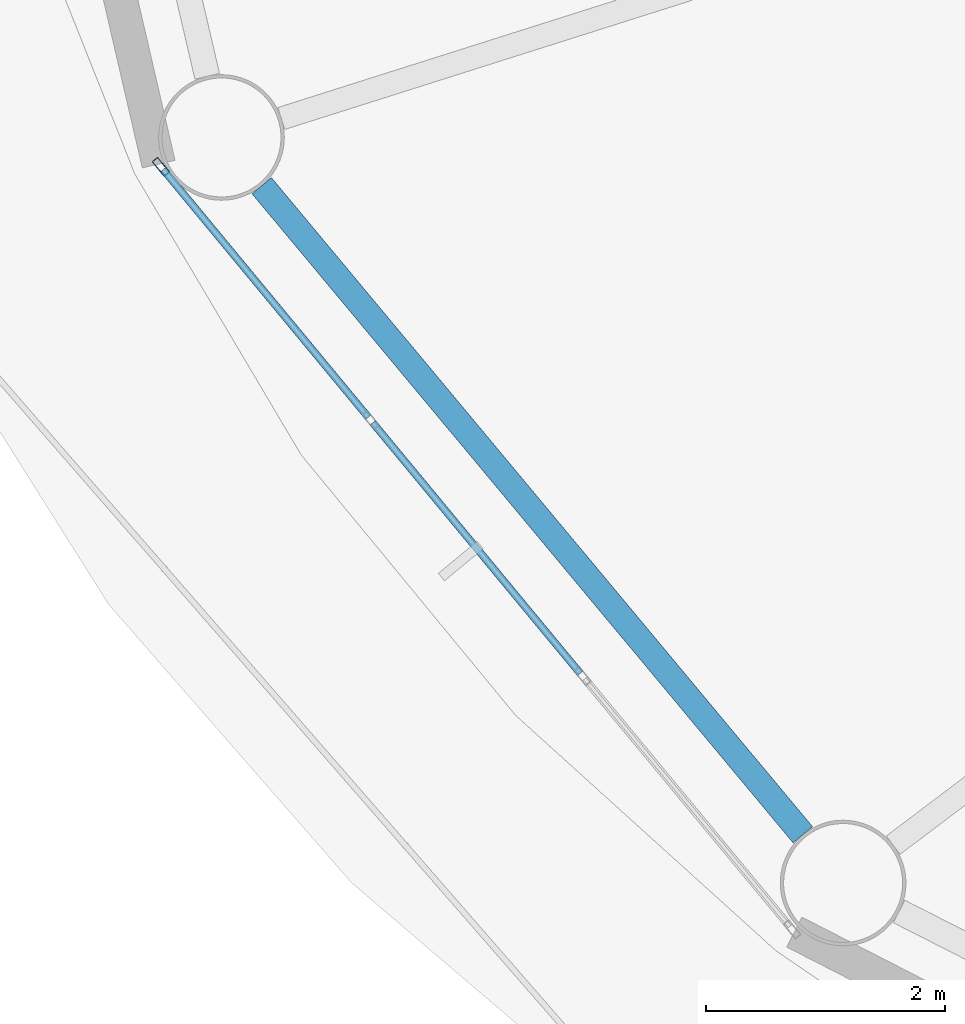
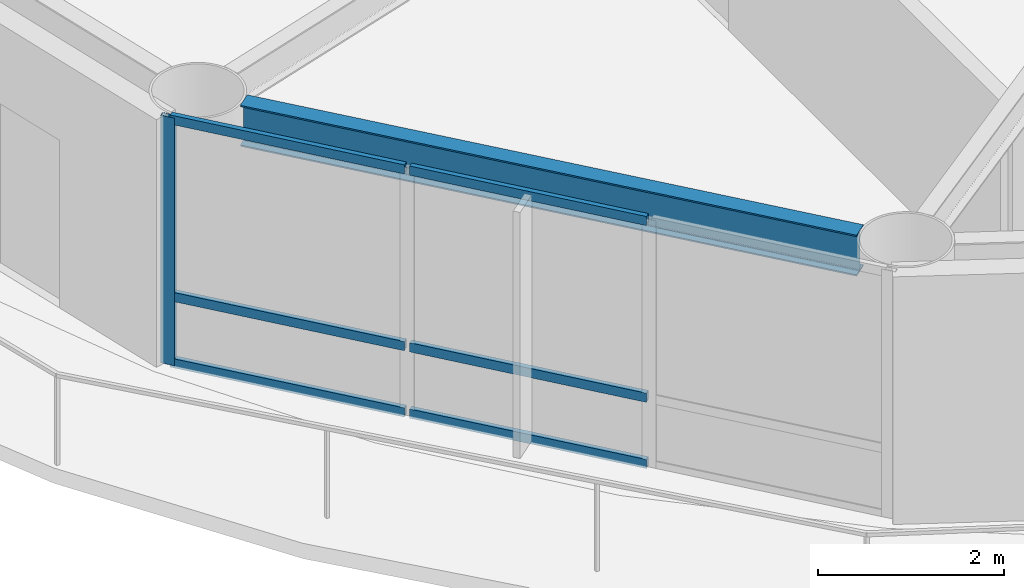
# One storey, part 3 of 24: 7 members, 1 beam, 1 element without a shape of its own.
"""IFC4 building model written with IfcOpenShell, lengths in metres."""

from ifc_helpers import new_model, si_unit, direction, frame, origin, origin_2d, place, context, subcontext, project, spatial, hollow_rectangle, i_section, extrude, material, layer, layer_set, material_profile, profile_set, type_object, element, aggregate, save


model = new_model("IFC4")

# Units and contexts
model_context = context("Model", 3, precision=1e-05, world=origin(), true_north=direction((0.0, 1.0)))
body_context = subcontext(model_context, "Body", "Model", "MODEL_VIEW")
ifc_project = project(units=[si_unit("LENGTHUNIT", "METRE"), si_unit("AREAUNIT", "SQUARE_METRE"), si_unit("VOLUMEUNIT", "CUBIC_METRE"), si_unit("PLANEANGLEUNIT", "RADIAN"), si_unit("MASSUNIT", "GRAM", prefix="KILO")], contexts=[model_context])

# Site, building, storey
site_placement = place(None, origin())
site = spatial("IfcSite", under=ifc_project, at=site_placement, CompositionType="ELEMENT")
building_placement = place(site_placement, origin())
building = spatial("IfcBuilding", under=site, at=building_placement, Name="Sarneth Arch Tower", CompositionType="ELEMENT")
storey_placement = place(building_placement, frame((0.0, 0.0, 253.199951171875)))
storey = spatial("IfcBuildingStorey", under=building, at=storey_placement, Name="L65", CompositionType="ELEMENT", Elevation=253.199951171875)

# Beam
ifc_material_1 = material(Name="Steel S355", Category="steel")
ifc_material_profile_1 = material_profile(ifc_material_1, i_section(OverallWidth=0.2109375, OverallDepth=0.5390625, WebThickness=0.01171875, FlangeThickness=0.018798828125, FilletRadius=0.01806640625, at=origin_2d()), Name="W530x109")
ifc_profile_set_1 = profile_set([ifc_material_profile_1], Name="Steel S355")
beam_type = type_object("IfcBeamType", Name="BM-RAD-530B", PredefinedType="BEAM", material=ifc_profile_set_1)
beam_placement = place(storey_placement, frame((25.16748046875, 34.249267578125, 2.98046875), z_axis=(0.640364654985, -0.76807103099, 0.0), x_axis=(0.76807103099, 0.640364654985, 0.0)))
element("IfcBeam", 1, at=beam_placement, inside=storey, type_object=beam_type, Name="L65 Perimeter spandrel beam 10", PredefinedType="BEAM", context=body_context, shape_type="SweptSolid", body=[
    extrude(i_section(OverallWidth=0.2109375, OverallDepth=0.5390625, WebThickness=0.01171875, FlangeThickness=0.018798828125, FilletRadius=0.01806640625, at=origin_2d()), origin(), (0.0, 0.0, 1.0), 7.06005859375),
])

# Curtain wall, members
ifc_material_2 = material(Name="Anodised aluminium Type AA25 and solar-control low-e laminated IGU", Category="aluminium")
ifc_layer = layer(ifc_material_2, 0.179931640625)
ifc_layer_set = layer_set([ifc_layer], Name="Anodised aluminium Type AA25 and solar-control low-e laminated IGU")
curtain_wall_type = type_object("IfcCurtainWallType", Name="CW-RES-HIGH", PredefinedType="NOTDEFINED", material=ifc_layer_set)
curtain_wall_placement = place(storey_placement, origin())
curtain_wall = element("IfcCurtainWall", 2, at=curtain_wall_placement, inside=storey, type_object=curtain_wall_type, Name="L65 Unitised curtain wall facet 10", PredefinedType="NOTDEFINED")
ifc_material_3 = material(Name="Anodised Aluminium 6063-T6", Category="aluminium")
ifc_material_profile_2 = material_profile(ifc_material_3, hollow_rectangle(XDim=0.06005859375, YDim=0.159912109375, WallThickness=0.00390625, at=origin_2d()), Name="AL-MULL-160x60x4")
ifc_profile_set_2 = profile_set([ifc_material_profile_2], Name="Anodised Aluminium 6063-T6")
member_type_1 = type_object("IfcMemberType", Name="CW-MULLION", PredefinedType="MULLION", material=ifc_profile_set_2)
member_1_placement = place(storey_placement, frame((24.325439453125, 34.407470703125, 0.0), z_axis=(0.0, 0.0, 1.0), x_axis=(0.770359245933, 0.637610094184, 0.0)))
member_1 = element("IfcMember", 3, at=member_1_placement, type_object=member_type_1, Name="CW-SYS-6 mullion 1", PredefinedType="MULLION", context=body_context, shape_type="SweptSolid", body=[
    extrude(hollow_rectangle(XDim=0.06005859375, YDim=0.159912109375, WallThickness=0.00390625, at=origin_2d()), origin(), (0.0, 0.0, 1.0), 3.25),
])
ifc_material_4 = material(Name="Anodised Aluminium 6063-T6", Category="aluminium")
ifc_material_profile_3 = material_profile(ifc_material_4, hollow_rectangle(XDim=0.06005859375, YDim=0.1201171875, WallThickness=0.00390625, at=origin_2d()), Name="AL-TRAN-120x60x4")
ifc_profile_set_3 = profile_set([ifc_material_profile_3], Name="Anodised Aluminium 6063-T6")
member_type_2 = type_object("IfcMemberType", Name="CW-TRANSOM", PredefinedType="USERDEFINED", material=ifc_profile_set_3)
member_2_placement = place(storey_placement, frame((24.344482421875, 34.38427734375, 0.030029296875), z_axis=(0.637651400067, -0.770325056059, 0.0), x_axis=(0.770325056059, 0.637651400067, 0.0)))
member_2 = element("IfcMember", 4, at=member_2_placement, type_object=member_type_2, Name="CW-SYS-6 transom 1.1", ObjectType="TRANSOM", PredefinedType="USERDEFINED", context=body_context, shape_type="SweptSolid", body=[
    extrude(hollow_rectangle(XDim=0.06005859375, YDim=0.1201171875, WallThickness=0.00390625, at=origin_2d()), origin(), (0.0, 0.0, 1.0), 2.6865234375),
])
member_3_placement = place(storey_placement, frame((24.344482421875, 34.38427734375, 0.900146484375), z_axis=(0.637651400067, -0.770325056059, 0.0), x_axis=(0.770325056059, 0.637651400067, 0.0)))
member_3 = element("IfcMember", 5, at=member_3_placement, type_object=member_type_2, Name="CW-SYS-6 transom 1.2", ObjectType="TRANSOM", PredefinedType="USERDEFINED", context=body_context, shape_type="SweptSolid", body=[
    extrude(hollow_rectangle(XDim=0.06005859375, YDim=0.1201171875, WallThickness=0.00390625, at=origin_2d()), origin(), (0.0, 0.0, 1.0), 2.6865234375),
])
member_4_placement = place(storey_placement, frame((24.344482421875, 34.38427734375, 3.219970703125), z_axis=(0.637651400067, -0.770325056059, 0.0), x_axis=(0.770325056059, 0.637651400067, 0.0)))
member_4 = element("IfcMember", 6, at=member_4_placement, type_object=member_type_2, Name="CW-SYS-6 transom 1.3", ObjectType="TRANSOM", PredefinedType="USERDEFINED", context=body_context, shape_type="SweptSolid", body=[
    extrude(hollow_rectangle(XDim=0.06005859375, YDim=0.1201171875, WallThickness=0.00390625, at=origin_2d()), origin(), (0.0, 0.0, 1.0), 2.6865234375),
])
member_5_placement = place(storey_placement, frame((26.095703125, 32.268310546875, 0.030029296875), z_axis=(0.637617371902, -0.770353222261, 0.0), x_axis=(0.770353222261, 0.637617371902, 0.0)))
member_5 = element("IfcMember", 7, at=member_5_placement, type_object=member_type_2, Name="CW-SYS-6 transom 2.1", ObjectType="TRANSOM", PredefinedType="USERDEFINED", context=body_context, shape_type="SweptSolid", body=[
    extrude(hollow_rectangle(XDim=0.06005859375, YDim=0.1201171875, WallThickness=0.00390625, at=origin_2d()), origin(), (0.0, 0.0, 1.0), 2.716552734375),
])
member_6_placement = place(storey_placement, frame((26.095703125, 32.268310546875, 0.900146484375), z_axis=(0.637617371902, -0.770353222261, 0.0), x_axis=(0.770353222261, 0.637617371902, 0.0)))
member_6 = element("IfcMember", 8, at=member_6_placement, type_object=member_type_2, Name="CW-SYS-6 transom 2.2", ObjectType="TRANSOM", PredefinedType="USERDEFINED", context=body_context, shape_type="SweptSolid", body=[
    extrude(hollow_rectangle(XDim=0.06005859375, YDim=0.1201171875, WallThickness=0.00390625, at=origin_2d()), origin(), (0.0, 0.0, 1.0), 2.716552734375),
])
member_7_placement = place(storey_placement, frame((26.095703125, 32.268310546875, 3.219970703125), z_axis=(0.637617371902, -0.770353222261, 0.0), x_axis=(0.770353222261, 0.637617371902, 0.0)))
member_7 = element("IfcMember", 9, at=member_7_placement, type_object=member_type_2, Name="CW-SYS-6 transom 2.3", ObjectType="TRANSOM", PredefinedType="USERDEFINED", context=body_context, shape_type="SweptSolid", body=[
    extrude(hollow_rectangle(XDim=0.06005859375, YDim=0.1201171875, WallThickness=0.00390625, at=origin_2d()), origin(), (0.0, 0.0, 1.0), 2.716552734375),
])
aggregate(curtain_wall, [member_1, member_2, member_3, member_4, member_5, member_6, member_7])

save(model, "model.ifc")
